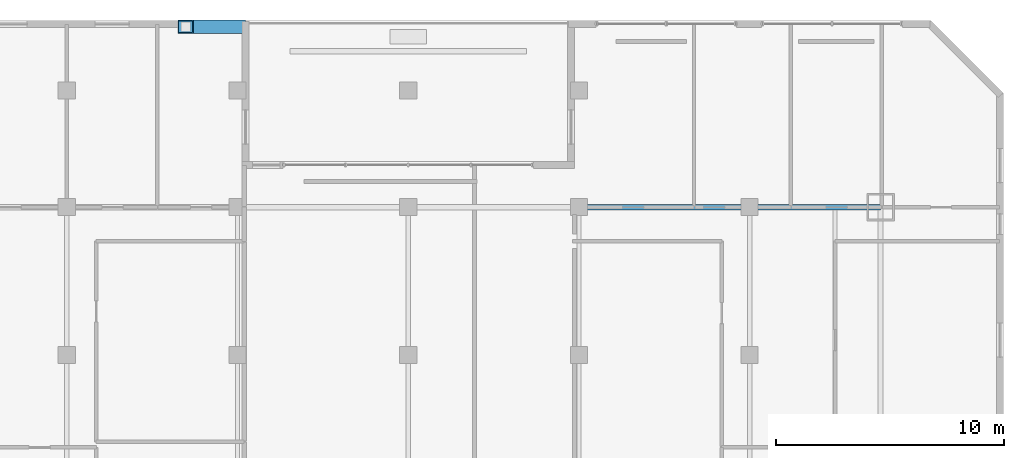
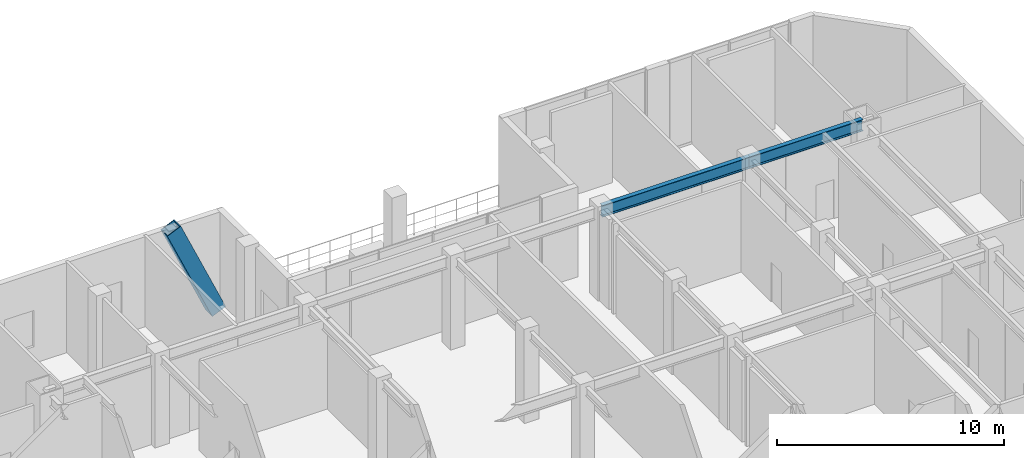
# One storey, part 3 of 11: 2 beams, 1 member.
"""IFC4 building model written with IfcOpenShell, lengths in metres."""

from ifc_helpers import new_model, si_unit, direction, frame, origin, origin_2d, place, context, subcontext, project, spatial, hollow_rectangle, i_section, extrude, material, material_profile, profile_set, type_object, element, save


model = new_model("IFC4")

# Units and contexts
model_context = context("Model", 3, precision=1e-05, world=origin(), true_north=direction((0.0, 1.0)))
body_context = subcontext(model_context, "Body", "Model", "MODEL_VIEW")
ifc_project = project(units=[si_unit("LENGTHUNIT", "METRE"), si_unit("AREAUNIT", "SQUARE_METRE"), si_unit("VOLUMEUNIT", "CUBIC_METRE"), si_unit("PLANEANGLEUNIT", "RADIAN"), si_unit("MASSUNIT", "GRAM", prefix="KILO")], contexts=[model_context])

# Site, building, storey
site_placement = place(None, origin())
site = spatial("IfcSite", under=ifc_project, at=site_placement, CompositionType="ELEMENT")
building_placement = place(site_placement, origin())
building = spatial("IfcBuilding", under=site, at=building_placement, Name="Ventersveld Concourse Tower", CompositionType="ELEMENT")
storey_placement = place(building_placement, frame((0.0, 0.0, 140.14990234375)))
storey = spatial("IfcBuildingStorey", under=building, at=storey_placement, Name="L34", CompositionType="ELEMENT", Elevation=140.14990234375)

# Beams
ifc_material_1 = material(Name="Structural steel S355J2", Category="steel")
ifc_material_profile_1 = material_profile(ifc_material_1, i_section(OverallWidth=0.230224609375, OverallDepth=0.6171875, WebThickness=0.01318359375, FlangeThickness=0.022216796875, FilletRadius=0.0126953125, at=origin_2d()), Name="UB 610x229x140")
ifc_profile_set_1 = profile_set([ifc_material_profile_1], Name="Structural steel S355J2")
beam_type = type_object("IfcBeamType", Name="GRD-UB610", PredefinedType="USERDEFINED", material=ifc_profile_set_1)
beam_1_placement = place(storey_placement, frame((36.25, 35.0, 4.521484375), z_axis=(1.0, 0.0, 0.0), x_axis=(0.0, 1.0, 0.0)))
element("IfcBeam", 1, at=beam_1_placement, inside=storey, type_object=beam_type, Name="L34 E-W Grid Girder Y=35.00 #5", ObjectType="GIRDER", PredefinedType="USERDEFINED", context=body_context, shape_type="SweptSolid", body=[
    extrude(i_section(OverallWidth=0.230224609375, OverallDepth=0.6171875, WebThickness=0.01318359375, FlangeThickness=0.022216796875, FilletRadius=0.0126953125, at=origin_2d()), origin(), (0.0, 0.0, 1.0), 7.5),
])
beam_2_placement = place(storey_placement, frame((43.75, 35.0, 4.521484375), z_axis=(1.0, 0.0, 0.0), x_axis=(0.0, 1.0, 0.0)))
element("IfcBeam", 2, at=beam_2_placement, inside=storey, type_object=beam_type, Name="L34 E-W Grid Girder Y=35.00 #6", ObjectType="GIRDER", PredefinedType="USERDEFINED", context=body_context, shape_type="SweptSolid", body=[
    extrude(i_section(OverallWidth=0.230224609375, OverallDepth=0.6171875, WebThickness=0.01318359375, FlangeThickness=0.022216796875, FilletRadius=0.0126953125, at=origin_2d()), origin(), (0.0, 0.0, 1.0), 5.75),
])

# Member
ifc_material_2 = material(Name="Structural steel S355ML", Category="steel")
ifc_material_profile_2 = material_profile(ifc_material_2, hollow_rectangle(XDim=0.60009765625, YDim=0.75, WallThickness=0.0400390625, at=origin_2d()), Name="BOX 750x600x40")
ifc_profile_set_2 = profile_set([ifc_material_profile_2], Name="Structural steel S355ML")
member_type = type_object("IfcMemberType", Name="MB-750x600", PredefinedType="BRACE", material=ifc_profile_set_2)
member_placement = place(storey_placement, frame((21.25, 42.919921875, -0.27978515625), z_axis=(-0.407696311466, 0.0, 0.913117581485), x_axis=(0.0, -1.0, 0.0)))
element("IfcMember", 3, at=member_placement, inside=storey, type_object=member_type, Name="L34 Exterior Mega-Brace N (Module M08)", PredefinedType="BRACE", context=body_context, shape_type="SweptSolid", body=[
    extrude(hollow_rectangle(XDim=0.60009765625, YDim=0.75, WallThickness=0.0400390625, at=origin_2d()), origin(), (0.0, 0.0, 1.0), 5.595947265625),
])

save(model, "model.ifc")
